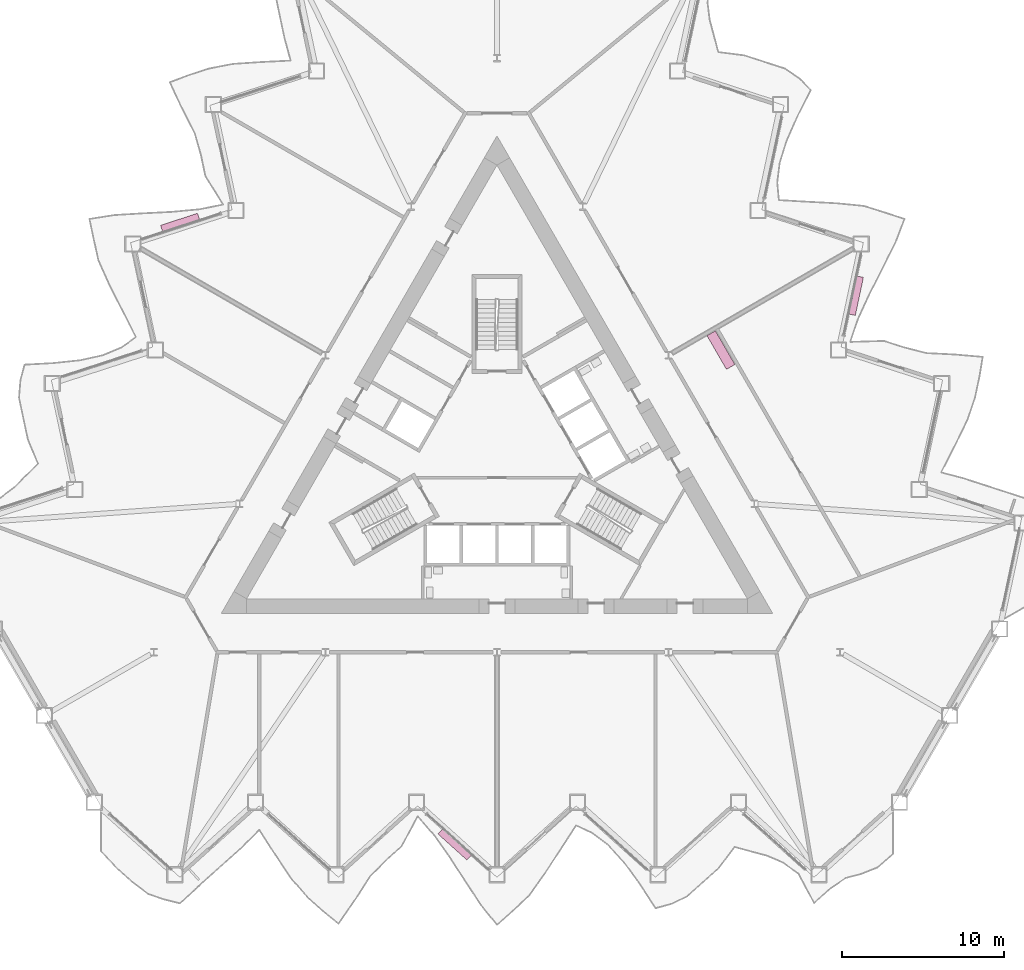
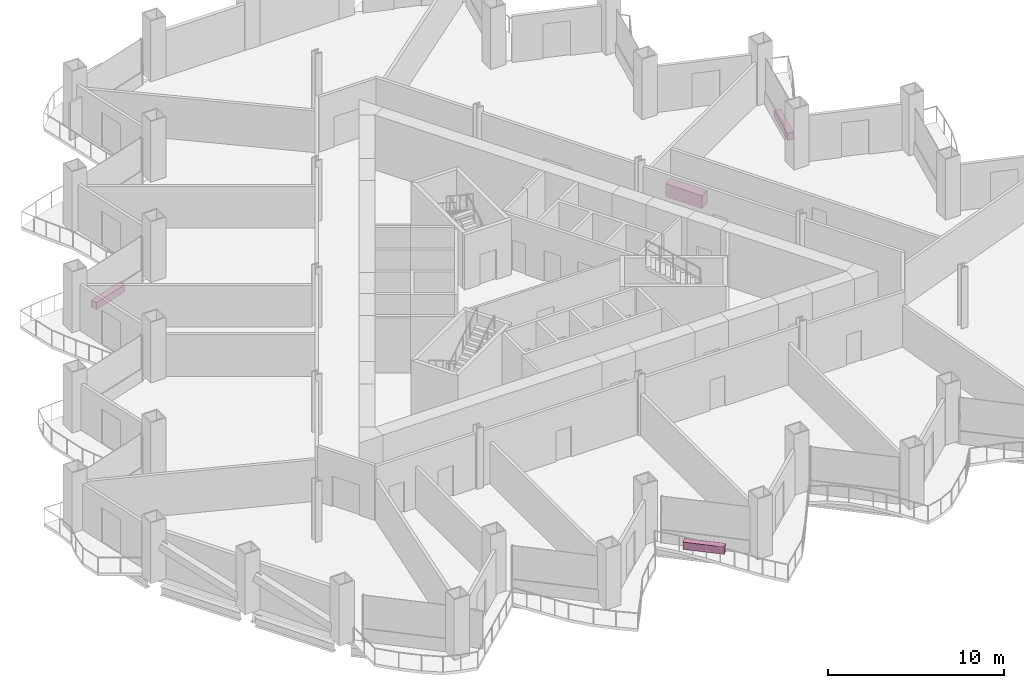
# One storey, part 20 of 20: 4 furniture elements.
"""IFC4 building model written with IfcOpenShell, lengths in metres."""

import ifcopenshell
import ifcopenshell.guid

model = None  # the IFC model being written
_history = None  # IfcOwnerHistory: only IFC2X3 demands one
_inside = {}  # id of a spatial element -> (the spatial element, [elements in it])
_under = {}  # id of a project, library or spatial element -> (it, [spatial elements below it])
_declared = {}  # id of a project -> (the project, [libraries it declares])
_typed = {}  # id of a type object -> (the type object, [elements of that type])
_made_of = {}  # id of a material, layer set ... -> (it, [elements and type objects made of it])


def new_model(schema):
    """Start an empty IFC model of exactly this schema.

    Asked for "IFC4X3", IfcOpenShell would pick the latest addendum, in which some entities
    have other attributes; the version numbers below select the first issue.
    IFC2X3 requires an IfcOwnerHistory on every rooted entity: one is made here for all.
    """
    global model, _history
    if schema == "IFC4X3":
        model = ifcopenshell.file(schema_version=(4, 3, 0, 0))
    else:
        model = ifcopenshell.file(schema=schema)
    _inside.clear()
    _under.clear()
    _declared.clear()
    _typed.clear()
    _made_of.clear()
    _history = None
    if model.schema == "IFC2X3":
        org = make("IfcOrganization", Name="unknown")
        user = make(
            "IfcPersonAndOrganization",
            ThePerson=make("IfcPerson", FamilyName="unknown"),
            TheOrganization=org,
        )
        app = make(
            "IfcApplication",
            ApplicationDeveloper=org,
            Version="unknown",
            ApplicationFullName="unknown",
            ApplicationIdentifier="unknown",
        )
        _history = make(
            "IfcOwnerHistory",
            OwningUser=user,
            OwningApplication=app,
            ChangeAction="ADDED",
            CreationDate=0,
        )
    return model


def make(cls, **values):
    """One entity of the class cls with the attributes given. An attribute that is None is left unset."""
    return model.create_entity(
        cls, **{name: value for name, value in values.items() if value is not None}
    )


def rooted(cls, **values):
    """An entity with a GlobalId (a new one), such as an element, a storey or a relation."""
    return make(cls, GlobalId=ifcopenshell.guid.new(), OwnerHistory=_history, **values)


def si_unit(unit_type, name, prefix=None):
    """IfcSIUnit, for example si_unit("LENGTHUNIT", "METRE", prefix="MILLI")."""
    return make("IfcSIUnit", UnitType=unit_type, Prefix=prefix, Name=name)


def assignment(units):
    """IfcUnitAssignment: the units of a project."""
    return None if units is None else make("IfcUnitAssignment", Units=units)


def point(xyz):
    """IfcCartesianPoint."""
    return None if xyz is None else make("IfcCartesianPoint", Coordinates=xyz)


def direction(xyz):
    """IfcDirection."""
    return None if xyz is None else make("IfcDirection", DirectionRatios=xyz)


def frame(location, z_axis=None, x_axis=None):
    """IfcAxis2Placement3D, a coordinate frame: its origin and axes. An axis left out is left unset."""
    return make(
        "IfcAxis2Placement3D",
        Location=point(location),
        Axis=direction(z_axis),
        RefDirection=direction(x_axis),
    )


def frame_2d(location, x_axis=None):
    """IfcAxis2Placement2D, a coordinate frame in the plane: its origin and x axis."""
    return make(
        "IfcAxis2Placement2D", Location=point(location), RefDirection=direction(x_axis)
    )


def origin():
    """The frame at (0, 0, 0) with its axes left unset."""
    return frame((0.0, 0.0, 0.0))


def origin_2d():
    """The frame at (0, 0) in the plane with its x axis left unset."""
    return frame_2d((0.0, 0.0))


def place(relative_to, where):
    """IfcLocalPlacement: puts the frame where relative to a parent placement (None: the world)."""
    return make(
        "IfcLocalPlacement", PlacementRelTo=relative_to, RelativePlacement=where
    )


def context(
    kind, dimensions, precision=None, world=None, true_north=None, identifier=None
):
    """IfcGeometricRepresentationContext, for example the 3D "Model" context."""
    return make(
        "IfcGeometricRepresentationContext",
        ContextIdentifier=identifier,
        ContextType=kind,
        CoordinateSpaceDimension=dimensions,
        Precision=precision,
        WorldCoordinateSystem=world,
        TrueNorth=true_north,
    )


def subcontext(parent, identifier, kind, view, scale=None):
    """IfcGeometricRepresentationSubContext, for example "Body" below "Model"."""
    return make(
        "IfcGeometricRepresentationSubContext",
        ContextIdentifier=identifier,
        ContextType=kind,
        ParentContext=parent,
        TargetScale=scale,
        TargetView=view,
    )


def project(units=None, contexts=None):
    """IfcProject with its units and contexts."""
    return rooted(
        "IfcProject",
        Name="project",
        RepresentationContexts=contexts,
        UnitsInContext=assignment(units),
    )


def spatial(cls, under=None, at=None, **own):
    """A site, building, storey or space (cls), placed at a placement, below another one or the project."""
    s = rooted(cls, ObjectPlacement=at, **own)
    if under is not None:
        _under.setdefault(under.id(), (under, []))[1].append(s)
    return s


def profile(cls, at=None, kind="AREA", **sizes):
    """A parametric profile (cls). Its sizes go by their IFC names, for example OverallWidth=200.0."""
    return make(cls, ProfileType=kind, Position=at, **sizes)


def rectangle(**sizes):
    """IfcRectangleProfileDef."""
    return profile("IfcRectangleProfileDef", **sizes)


def extrude(swept, where, along, depth):
    """IfcExtrudedAreaSolid: the profile swept, set in the frame where, extruded along a direction by depth."""
    return make(
        "IfcExtrudedAreaSolid",
        SweptArea=swept,
        Position=where,
        ExtrudedDirection=direction(along),
        Depth=depth,
    )


def shape(context_of_items, identifier, shape_type, items):
    """IfcShapeRepresentation: the items that make up one representation, for example the "Body"."""
    return make(
        "IfcShapeRepresentation",
        ContextOfItems=context_of_items,
        RepresentationIdentifier=identifier,
        RepresentationType=shape_type,
        Items=items,
    )


def material(Name=None, Category=None):
    """IfcMaterial."""
    return make("IfcMaterial", Name=Name, Category=Category)


def made_of(thing, what):
    """Note that an element or type object is made of a material, layer set ...; save() writes the relation."""
    if what is not None:
        _made_of.setdefault(what.id(), (what, []))[1].append(thing)
    return thing


def type_object(cls, material=None, **own):
    """A type object (cls), such as IfcWallType, which elements share."""
    return made_of(rooted(cls, **own), material)


def element(
    cls,
    number,
    at=None,
    inside=None,
    cuts=None,
    type_object=None,
    material=None,
    context=None,
    identifier="Body",
    shape_type=None,
    held_by="IfcProductDefinitionShape",
    body=None,
    shapes=None,
    **own,
):
    """One element of the class cls, such as IfcWall. Its Tag is "e" and its number.

    at: its placement. inside: the storey or other place that contains it. cuts: it is an
    opening in that element (IfcRelVoidsElement). A single representation is given by context,
    identifier, shape_type and body (its items); several are given by shapes. held_by: the class
    of the entity that holds the representations. save() writes the other relations.
    """
    e = rooted(cls, Tag="e%d" % number, ObjectPlacement=at, **own)
    if body is not None:
        shapes = [shape(context, identifier, shape_type, body)]
    if shapes is not None:
        e.Representation = make(held_by, Representations=shapes)
    if inside is not None:
        _inside.setdefault(inside.id(), (inside, []))[1].append(e)
    if cuts is not None:
        rooted(
            "IfcRelVoidsElement", RelatingBuildingElement=cuts, RelatedOpeningElement=e
        )
    if type_object is not None:
        _typed.setdefault(type_object.id(), (type_object, []))[1].append(e)
    return made_of(e, material)


def aggregate(whole, parts):
    """IfcRelAggregates: a whole, such as a stair, and the parts it consists of."""
    return rooted("IfcRelAggregates", RelatingObject=whole, RelatedObjects=parts)


def save(model, path):
    """Write the relations noted so far, then the file.

    IfcRelAggregates (storeys below a building ...), IfcRelContainedInSpatialStructure (elements
    in a storey), IfcRelDefinesByType, IfcRelAssociatesMaterial and IfcRelDeclares: one each for
    every whole, place, type object, material and project.
    """
    for whole, parts in _under.values():
        aggregate(whole, parts)
    for where, things in _inside.values():
        rooted(
            "IfcRelContainedInSpatialStructure",
            RelatedElements=things,
            RelatingStructure=where,
        )
    for kind, things in _typed.values():
        rooted("IfcRelDefinesByType", RelatedObjects=things, RelatingType=kind)
    for what, things in _made_of.values():
        rooted("IfcRelAssociatesMaterial", RelatedObjects=things, RelatingMaterial=what)
    for by, libraries in _declared.values():
        rooted("IfcRelDeclares", RelatingContext=by, RelatedDefinitions=libraries)
    model.write(path)


model = new_model("IFC4")

# Units and contexts
model_context = context("Model", 3, precision=1e-05, world=origin(), true_north=direction((0.0, 1.0)))
body_context = subcontext(model_context, "Body", "Model", "MODEL_VIEW")
ifc_project = project(units=[si_unit("LENGTHUNIT", "METRE"), si_unit("AREAUNIT", "SQUARE_METRE"), si_unit("VOLUMEUNIT", "CUBIC_METRE"), si_unit("PLANEANGLEUNIT", "RADIAN"), si_unit("MASSUNIT", "GRAM", prefix="KILO")], contexts=[model_context])

# Site, building, storey
site_placement = place(None, origin())
site = spatial("IfcSite", under=ifc_project, at=site_placement, CompositionType="ELEMENT")
building_placement = place(site_placement, origin())
building = spatial("IfcBuilding", under=site, at=building_placement, Name="Cormorant Prow Tower", CompositionType="ELEMENT")
storey_placement = place(building_placement, frame((0.0, 0.0, 59.39990234375)))
storey = spatial("IfcBuildingStorey", under=building, at=storey_placement, Name="L12", CompositionType="ELEMENT", Elevation=59.39990234375)

# Furniture
ifc_material_1 = material(Name="Terracotta", Category="masonry")
furniture_type_1 = type_object("IfcFurnitureType", Name="Balcony planter 2400x400x500", AssemblyPlace="NOTDEFINED", PredefinedType="USERDEFINED", material=ifc_material_1)
for number, where, z_axis, x_axis, name in (
    (1, (-2.611083984375, -24.072265625, 0.0), (0.0, 0.0, 1.0), (0.743144808544, -0.669130625166, 0.0), "Balcony planter S04"),
    (2, (22.15283203125, 9.774658203125, 0.0), (0.0, 0.0, 1.0), (0.207911660293, 0.978147607222, 0.0), "Balcony planter ENE04"),
    (3, (-19.54150390625, 14.29736328125, 0.0), (0.0, 0.0, 1.0), (-0.951056488633, -0.309017079512, 0.0), "Balcony planter WNW04"),
):
    element("IfcFurniture", number, at=place(storey_placement, frame(where, z_axis=z_axis, x_axis=x_axis)), inside=storey, type_object=furniture_type_1, Name=name, ObjectType="PLANTER", PredefinedType="USERDEFINED", context=body_context, shape_type="SweptSolid", body=[
        extrude(rectangle(XDim=2.39990234375, YDim=0.39990234375, at=origin_2d()), origin(), (0.0, 0.0, 1.0), 0.5),
    ])
ifc_material_2 = material(Name="Timber joinery", Category="wood")
furniture_type_2 = type_object("IfcFurnitureType", Name="Kitchen counter 2400x600", AssemblyPlace="NOTDEFINED", PredefinedType="NOTDEFINED", material=ifc_material_2)
furniture_placement = place(storey_placement, frame((13.81005859375, 6.420166015625, 0.000244140625), z_axis=(0.0, 0.0, 1.0), x_axis=(0.5, -0.866025403784, 0.0)))
element("IfcFurniture", 4, at=furniture_placement, inside=storey, type_object=furniture_type_2, Name="Kitchen counter", PredefinedType="NOTDEFINED", context=body_context, shape_type="SweptSolid", body=[
    extrude(rectangle(XDim=2.39990234375, YDim=0.60009765625, at=origin_2d()), origin(), (0.0, 0.0, 1.0), 0.89990234375),
])

save(model, "model.ifc")
